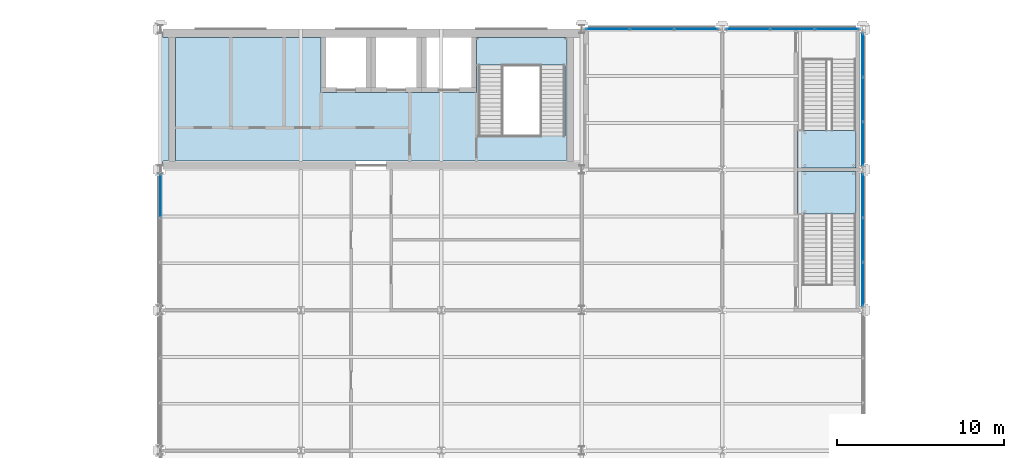
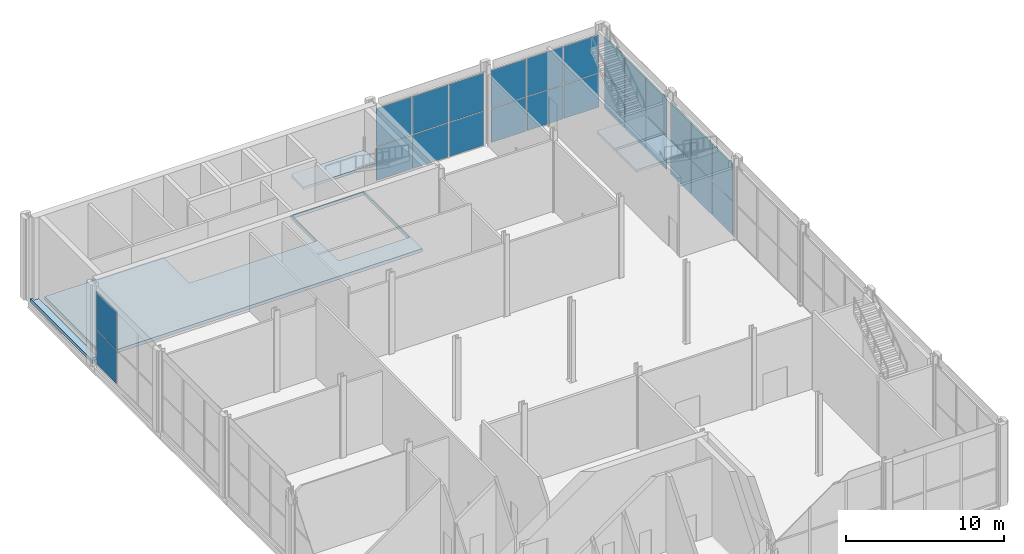
# One storey, part 61 of 77: 26 plates, 5 slabs, 8 elements without a shape of their own.
"""IFC4 building model written with IfcOpenShell, lengths in metres."""

from ifc_helpers import new_model, si_unit, direction, frame, origin, origin_2d, place, context, subcontext, project, spatial, polyline, rectangle, outline, extrude, material, layer, layer_set, type_object, element, aggregate, save


model = new_model("IFC4")

# Units and contexts
model_context = context("Model", 3, precision=1e-05, world=origin(), true_north=direction((0.0, 1.0)))
body_context = subcontext(model_context, "Body", "Model", "MODEL_VIEW")
ifc_project = project(units=[si_unit("LENGTHUNIT", "METRE"), si_unit("AREAUNIT", "SQUARE_METRE"), si_unit("VOLUMEUNIT", "CUBIC_METRE"), si_unit("PLANEANGLEUNIT", "RADIAN"), si_unit("MASSUNIT", "GRAM", prefix="KILO")], contexts=[model_context])

# Site, building, storey
site_placement = place(None, origin())
site = spatial("IfcSite", under=ifc_project, at=site_placement, CompositionType="ELEMENT")
building_placement = place(site_placement, origin())
building = spatial("IfcBuilding", under=site, at=building_placement, Name="Catenary Quay Ferry Terminal", CompositionType="ELEMENT")
storey_placement = place(building_placement, frame((0.0, 0.0, 10.800048828125)))
storey = spatial("IfcBuildingStorey", under=building, at=storey_placement, Name="L02", CompositionType="ELEMENT", Elevation=10.800048828125)

# Slabs
ifc_material_1 = material(Name="Concrete C35/45", Category="concrete")
ifc_layer_1 = layer(ifc_material_1, 0.25)
ifc_layer_set_1 = layer_set([ifc_layer_1], Name="Composite floor slab 250")
slab_type_1 = type_object("IfcSlabType", Name="Composite floor slab 250", PredefinedType="FLOOR", material=ifc_layer_set_1)
slab_1_placement = place(storey_placement, frame((0.0, 0.0, -0.25)))
element("IfcSlab", 1, at=slab_1_placement, inside=storey, type_object=slab_type_1, Name="L02 podium floor slab", PredefinedType="FLOOR", context=body_context, shape_type="SweptSolid", body=[
    extrude(outline(polyline([(25.199951171875, 209.739990234375), (25.340087890625, 209.739990234375), (25.340087890625, 209.489990234375), (25.68994140625, 209.489990234375), (25.68994140625, 202.110107421875), (25.340087890625, 202.110107421875), (25.340087890625, 201.860107421875), (25.199951171875, 201.860107421875), (25.199951171875, 209.739990234375)])), origin(), (0.0, 0.0, 1.0), 0.25),
])
slab_2_placement = place(storey_placement, frame((0.0, 0.0, -0.25)))
element("IfcSlab", 2, at=slab_2_placement, inside=storey, type_object=slab_type_1, Name="L02 podium floor slab", PredefinedType="FLOOR", context=body_context, shape_type="SweptSolid", body=[
    extrude(outline(polyline([(49.489990234375, 209.489990234375), (49.489990234375, 202.110107421875), (26.110107421875, 202.110107421875), (26.110107421875, 209.489990234375), (34.800048828125, 209.489990234375), (34.800048828125, 206.199951171875), (37.800048828125, 206.199951171875), (40.800048828125, 206.199951171875), (44.10009765625, 206.199951171875), (44.10009765625, 209.489990234375), (49.489990234375, 209.489990234375)]), holes=[polyline([(49.39990234375, 203.60009765625), (49.39990234375, 209.39990234375), (44.199951171875, 209.39990234375), (44.199951171875, 203.60009765625), (49.39990234375, 203.60009765625)])]), origin(), (0.0, 0.0, 1.0), 0.25),
])

# Curtain wall, plates
ifc_material_2 = material(Name="Aluminium and glass", Category="aluminium")
curtain_wall_type = type_object("IfcCurtainWallType", Name="CWW2", PredefinedType="NOTDEFINED", material=ifc_material_2)
curtain_wall_1_placement = place(storey_placement, origin())
curtain_wall_1 = element("IfcCurtainWall", 3, at=curtain_wall_1_placement, inside=storey, type_object=curtain_wall_type, Name="Wing curtain wall CW134", PredefinedType="NOTDEFINED")
ifc_material_3 = material(Name="Glass", Category="glass")
ifc_layer_2 = layer(ifc_material_3, 0.035888671875)
ifc_layer_set_2 = layer_set([ifc_layer_2], Name="PN4")
plate_type = type_object("IfcPlateType", Name="PN4", PredefinedType="CURTAIN_PANEL", material=ifc_layer_set_2)
plate_1_placement = place(storey_placement, frame((67.199951171875, 194.750732421875, 0.06005859375), z_axis=(0.0, 0.0, 1.0), x_axis=(0.0, 1.0, 0.0)))
plate_1 = element("IfcPlate", 4, at=plate_1_placement, type_object=plate_type, Name="CW134 panel 1.1", PredefinedType="CURTAIN_PANEL", context=body_context, shape_type="SweptSolid", body=[
    extrude(rectangle(XDim=2.561767578125, YDim=0.035888671875, at=origin_2d()), origin(), (0.0, 0.0, 1.0), 2.610107421875),
])
plate_2_placement = place(storey_placement, frame((67.199951171875, 194.750732421875, 2.72998046875), z_axis=(0.0, 0.0, 1.0), x_axis=(0.0, 1.0, 0.0)))
plate_2 = element("IfcPlate", 5, at=plate_2_placement, type_object=plate_type, Name="CW134 panel 1.2", PredefinedType="CURTAIN_PANEL", context=body_context, shape_type="SweptSolid", body=[
    extrude(rectangle(XDim=2.561767578125, YDim=0.035888671875, at=origin_2d()), origin(), (0.0, 0.0, 1.0), 2.909912109375),
])
plate_3_placement = place(storey_placement, frame((67.199951171875, 197.39990234375, 0.06005859375), z_axis=(0.0, 0.0, 1.0), x_axis=(0.0, 1.0, 0.0)))
plate_3 = element("IfcPlate", 6, at=plate_3_placement, type_object=plate_type, Name="CW134 panel 2.1", PredefinedType="CURTAIN_PANEL", context=body_context, shape_type="SweptSolid", body=[
    extrude(rectangle(XDim=2.5966796875, YDim=0.035888671875, at=origin_2d()), origin(), (0.0, 0.0, 1.0), 2.610107421875),
])
plate_4_placement = place(storey_placement, frame((67.199951171875, 197.39990234375, 2.72998046875), z_axis=(0.0, 0.0, 1.0), x_axis=(0.0, 1.0, 0.0)))
plate_4 = element("IfcPlate", 7, at=plate_4_placement, type_object=plate_type, Name="CW134 panel 2.2", PredefinedType="CURTAIN_PANEL", context=body_context, shape_type="SweptSolid", body=[
    extrude(rectangle(XDim=2.5966796875, YDim=0.035888671875, at=origin_2d()), origin(), (0.0, 0.0, 1.0), 2.909912109375),
])
plate_5_placement = place(storey_placement, frame((67.199951171875, 200.049072265625, 0.06005859375), z_axis=(0.0, 0.0, 1.0), x_axis=(0.0, 1.0, 0.0)))
plate_5 = element("IfcPlate", 8, at=plate_5_placement, type_object=plate_type, Name="CW134 panel 3.1", PredefinedType="CURTAIN_PANEL", context=body_context, shape_type="SweptSolid", body=[
    extrude(rectangle(XDim=2.561767578125, YDim=0.035888671875, at=origin_2d()), origin(), (0.0, 0.0, 1.0), 2.610107421875),
])
plate_6_placement = place(storey_placement, frame((67.199951171875, 200.049072265625, 2.72998046875), z_axis=(0.0, 0.0, 1.0), x_axis=(0.0, 1.0, 0.0)))
plate_6 = element("IfcPlate", 9, at=plate_6_placement, type_object=plate_type, Name="CW134 panel 3.2", PredefinedType="CURTAIN_PANEL", context=body_context, shape_type="SweptSolid", body=[
    extrude(rectangle(XDim=2.561767578125, YDim=0.035888671875, at=origin_2d()), origin(), (0.0, 0.0, 1.0), 2.909912109375),
])
aggregate(curtain_wall_1, [plate_1, plate_2, plate_3, plate_4, plate_5, plate_6])

curtain_wall_2_placement = place(storey_placement, origin())
curtain_wall_2 = element("IfcCurtainWall", 10, at=curtain_wall_2_placement, inside=storey, type_object=curtain_wall_type, Name="Wing curtain wall CW135", PredefinedType="NOTDEFINED")
plate_7_placement = place(storey_placement, frame((67.199951171875, 203.15087890625, 0.06005859375), z_axis=(0.0, 0.0, 1.0), x_axis=(0.0, 1.0, 0.0)))
plate_7 = element("IfcPlate", 11, at=plate_7_placement, type_object=plate_type, Name="CW135 panel 1.1", PredefinedType="CURTAIN_PANEL", context=body_context, shape_type="SweptSolid", body=[
    extrude(rectangle(XDim=2.561767578125, YDim=0.035888671875, at=origin_2d()), origin(), (0.0, 0.0, 1.0), 2.610107421875),
])
plate_8_placement = place(storey_placement, frame((67.199951171875, 203.15087890625, 2.72998046875), z_axis=(0.0, 0.0, 1.0), x_axis=(0.0, 1.0, 0.0)))
plate_8 = element("IfcPlate", 12, at=plate_8_placement, type_object=plate_type, Name="CW135 panel 1.2", PredefinedType="CURTAIN_PANEL", context=body_context, shape_type="SweptSolid", body=[
    extrude(rectangle(XDim=2.561767578125, YDim=0.035888671875, at=origin_2d()), origin(), (0.0, 0.0, 1.0), 2.909912109375),
])
plate_9_placement = place(storey_placement, frame((67.199951171875, 205.800048828125, 0.06005859375), z_axis=(0.0, 0.0, 1.0), x_axis=(0.0, 1.0, 0.0)))
plate_9 = element("IfcPlate", 13, at=plate_9_placement, type_object=plate_type, Name="CW135 panel 2.1", PredefinedType="CURTAIN_PANEL", context=body_context, shape_type="SweptSolid", body=[
    extrude(rectangle(XDim=2.5966796875, YDim=0.035888671875, at=origin_2d()), origin(), (0.0, 0.0, 1.0), 2.610107421875),
])
plate_10_placement = place(storey_placement, frame((67.199951171875, 205.800048828125, 2.72998046875), z_axis=(0.0, 0.0, 1.0), x_axis=(0.0, 1.0, 0.0)))
plate_10 = element("IfcPlate", 14, at=plate_10_placement, type_object=plate_type, Name="CW135 panel 2.2", PredefinedType="CURTAIN_PANEL", context=body_context, shape_type="SweptSolid", body=[
    extrude(rectangle(XDim=2.5966796875, YDim=0.035888671875, at=origin_2d()), origin(), (0.0, 0.0, 1.0), 2.909912109375),
])
plate_11_placement = place(storey_placement, frame((67.199951171875, 208.44921875, 0.06005859375), z_axis=(0.0, 0.0, 1.0), x_axis=(0.0, 1.0, 0.0)))
plate_11 = element("IfcPlate", 15, at=plate_11_placement, type_object=plate_type, Name="CW135 panel 3.1", PredefinedType="CURTAIN_PANEL", context=body_context, shape_type="SweptSolid", body=[
    extrude(rectangle(XDim=2.561767578125, YDim=0.035888671875, at=origin_2d()), origin(), (0.0, 0.0, 1.0), 2.610107421875),
])
plate_12_placement = place(storey_placement, frame((67.199951171875, 208.44921875, 2.72998046875), z_axis=(0.0, 0.0, 1.0), x_axis=(0.0, 1.0, 0.0)))
plate_12 = element("IfcPlate", 16, at=plate_12_placement, type_object=plate_type, Name="CW135 panel 3.2", PredefinedType="CURTAIN_PANEL", context=body_context, shape_type="SweptSolid", body=[
    extrude(rectangle(XDim=2.561767578125, YDim=0.035888671875, at=origin_2d()), origin(), (0.0, 0.0, 1.0), 2.909912109375),
])
aggregate(curtain_wall_2, [plate_7, plate_8, plate_9, plate_10, plate_11, plate_12])

curtain_wall_3_placement = place(storey_placement, origin())
curtain_wall_3 = element("IfcCurtainWall", 17, at=curtain_wall_3_placement, inside=storey, type_object=curtain_wall_type, Name="Wing curtain wall CW136", PredefinedType="NOTDEFINED")
plate_13_placement = place(storey_placement, frame((51.950927734375, 210.0, 0.06005859375), z_axis=(0.0, 0.0, 1.0), x_axis=(1.0, 0.0, 0.0)))
plate_13 = element("IfcPlate", 18, at=plate_13_placement, type_object=plate_type, Name="CW136 panel 1.1", PredefinedType="CURTAIN_PANEL", context=body_context, shape_type="SweptSolid", body=[
    extrude(rectangle(XDim=2.561767578125, YDim=0.035888671875, at=origin_2d()), origin(), (0.0, 0.0, 1.0), 2.610107421875),
])
plate_14_placement = place(storey_placement, frame((51.950927734375, 210.0, 2.72998046875), z_axis=(0.0, 0.0, 1.0), x_axis=(1.0, 0.0, 0.0)))
plate_14 = element("IfcPlate", 19, at=plate_14_placement, type_object=plate_type, Name="CW136 panel 1.2", PredefinedType="CURTAIN_PANEL", context=body_context, shape_type="SweptSolid", body=[
    extrude(rectangle(XDim=2.561767578125, YDim=0.035888671875, at=origin_2d()), origin(), (0.0, 0.0, 1.0), 2.909912109375),
])
plate_15_placement = place(storey_placement, frame((54.60009765625, 210.0, 0.06005859375), z_axis=(0.0, 0.0, 1.0), x_axis=(1.0, 0.0, 0.0)))
plate_15 = element("IfcPlate", 20, at=plate_15_placement, type_object=plate_type, Name="CW136 panel 2.1", PredefinedType="CURTAIN_PANEL", context=body_context, shape_type="SweptSolid", body=[
    extrude(rectangle(XDim=2.5966796875, YDim=0.035888671875, at=origin_2d()), origin(), (0.0, 0.0, 1.0), 2.610107421875),
])
plate_16_placement = place(storey_placement, frame((54.60009765625, 210.0, 2.72998046875), z_axis=(0.0, 0.0, 1.0), x_axis=(1.0, 0.0, 0.0)))
plate_16 = element("IfcPlate", 21, at=plate_16_placement, type_object=plate_type, Name="CW136 panel 2.2", PredefinedType="CURTAIN_PANEL", context=body_context, shape_type="SweptSolid", body=[
    extrude(rectangle(XDim=2.5966796875, YDim=0.035888671875, at=origin_2d()), origin(), (0.0, 0.0, 1.0), 2.909912109375),
])
plate_17_placement = place(storey_placement, frame((57.249267578125, 210.0, 0.06005859375), z_axis=(0.0, 0.0, 1.0), x_axis=(1.0, 0.0, 0.0)))
plate_17 = element("IfcPlate", 22, at=plate_17_placement, type_object=plate_type, Name="CW136 panel 3.1", PredefinedType="CURTAIN_PANEL", context=body_context, shape_type="SweptSolid", body=[
    extrude(rectangle(XDim=2.561767578125, YDim=0.035888671875, at=origin_2d()), origin(), (0.0, 0.0, 1.0), 2.610107421875),
])
plate_18_placement = place(storey_placement, frame((57.249267578125, 210.0, 2.72998046875), z_axis=(0.0, 0.0, 1.0), x_axis=(1.0, 0.0, 0.0)))
plate_18 = element("IfcPlate", 23, at=plate_18_placement, type_object=plate_type, Name="CW136 panel 3.2", PredefinedType="CURTAIN_PANEL", context=body_context, shape_type="SweptSolid", body=[
    extrude(rectangle(XDim=2.561767578125, YDim=0.035888671875, at=origin_2d()), origin(), (0.0, 0.0, 1.0), 2.909912109375),
])
aggregate(curtain_wall_3, [plate_13, plate_14, plate_15, plate_16, plate_17, plate_18])

curtain_wall_4_placement = place(storey_placement, origin())
curtain_wall_4 = element("IfcCurtainWall", 24, at=curtain_wall_4_placement, inside=storey, type_object=curtain_wall_type, Name="Wing curtain wall CW137", PredefinedType="NOTDEFINED")
plate_19_placement = place(storey_placement, frame((60.350830078125, 210.0, 0.06005859375), z_axis=(0.0, 0.0, 1.0), x_axis=(1.0, 0.0, 0.0)))
plate_19 = element("IfcPlate", 25, at=plate_19_placement, type_object=plate_type, Name="CW137 panel 1.1", PredefinedType="CURTAIN_PANEL", context=body_context, shape_type="SweptSolid", body=[
    extrude(rectangle(XDim=2.561767578125, YDim=0.035888671875, at=origin_2d()), origin(), (0.0, 0.0, 1.0), 2.610107421875),
])
plate_20_placement = place(storey_placement, frame((60.350830078125, 210.0, 2.72998046875), z_axis=(0.0, 0.0, 1.0), x_axis=(1.0, 0.0, 0.0)))
plate_20 = element("IfcPlate", 26, at=plate_20_placement, type_object=plate_type, Name="CW137 panel 1.2", PredefinedType="CURTAIN_PANEL", context=body_context, shape_type="SweptSolid", body=[
    extrude(rectangle(XDim=2.561767578125, YDim=0.035888671875, at=origin_2d()), origin(), (0.0, 0.0, 1.0), 2.909912109375),
])
plate_21_placement = place(storey_placement, frame((63.0, 210.0, 0.06005859375), z_axis=(0.0, 0.0, 1.0), x_axis=(1.0, 0.0, 0.0)))
plate_21 = element("IfcPlate", 27, at=plate_21_placement, type_object=plate_type, Name="CW137 panel 2.1", PredefinedType="CURTAIN_PANEL", context=body_context, shape_type="SweptSolid", body=[
    extrude(rectangle(XDim=2.5966796875, YDim=0.035888671875, at=origin_2d()), origin(), (0.0, 0.0, 1.0), 2.610107421875),
])
plate_22_placement = place(storey_placement, frame((63.0, 210.0, 2.72998046875), z_axis=(0.0, 0.0, 1.0), x_axis=(1.0, 0.0, 0.0)))
plate_22 = element("IfcPlate", 28, at=plate_22_placement, type_object=plate_type, Name="CW137 panel 2.2", PredefinedType="CURTAIN_PANEL", context=body_context, shape_type="SweptSolid", body=[
    extrude(rectangle(XDim=2.5966796875, YDim=0.035888671875, at=origin_2d()), origin(), (0.0, 0.0, 1.0), 2.909912109375),
])
plate_23_placement = place(storey_placement, frame((65.649169921875, 210.0, 0.06005859375), z_axis=(0.0, 0.0, 1.0), x_axis=(1.0, 0.0, 0.0)))
plate_23 = element("IfcPlate", 29, at=plate_23_placement, type_object=plate_type, Name="CW137 panel 3.1", PredefinedType="CURTAIN_PANEL", context=body_context, shape_type="SweptSolid", body=[
    extrude(rectangle(XDim=2.561767578125, YDim=0.035888671875, at=origin_2d()), origin(), (0.0, 0.0, 1.0), 2.610107421875),
])
plate_24_placement = place(storey_placement, frame((65.649169921875, 210.0, 2.72998046875), z_axis=(0.0, 0.0, 1.0), x_axis=(1.0, 0.0, 0.0)))
plate_24 = element("IfcPlate", 30, at=plate_24_placement, type_object=plate_type, Name="CW137 panel 3.2", PredefinedType="CURTAIN_PANEL", context=body_context, shape_type="SweptSolid", body=[
    extrude(rectangle(XDim=2.561767578125, YDim=0.035888671875, at=origin_2d()), origin(), (0.0, 0.0, 1.0), 2.909912109375),
])
aggregate(curtain_wall_4, [plate_19, plate_20, plate_21, plate_22, plate_23, plate_24])

curtain_wall_5_placement = place(storey_placement, origin())
curtain_wall_5 = element("IfcCurtainWall", 31, at=curtain_wall_5_placement, inside=storey, type_object=curtain_wall_type, Name="Wing curtain wall CW141", PredefinedType="NOTDEFINED")
plate_25_placement = place(storey_placement, frame((25.199951171875, 200.049072265625, 0.06005859375), z_axis=(0.0, 0.0, 1.0), x_axis=(0.0, 1.0, 0.0)))
plate_25 = element("IfcPlate", 32, at=plate_25_placement, type_object=plate_type, Name="CW141 panel 3.1", PredefinedType="CURTAIN_PANEL", context=body_context, shape_type="SweptSolid", body=[
    extrude(rectangle(XDim=2.561767578125, YDim=0.035888671875, at=origin_2d()), origin(), (0.0, 0.0, 1.0), 2.610107421875),
])
plate_26_placement = place(storey_placement, frame((25.199951171875, 200.049072265625, 2.72998046875), z_axis=(0.0, 0.0, 1.0), x_axis=(0.0, 1.0, 0.0)))
plate_26 = element("IfcPlate", 33, at=plate_26_placement, type_object=plate_type, Name="CW141 panel 3.2", PredefinedType="CURTAIN_PANEL", context=body_context, shape_type="SweptSolid", body=[
    extrude(rectangle(XDim=2.561767578125, YDim=0.035888671875, at=origin_2d()), origin(), (0.0, 0.0, 1.0), 2.909912109375),
])
aggregate(curtain_wall_5, [plate_25, plate_26])

# Stair, slab
ifc_material_4 = material(Name="Concrete C35/45", Category="concrete")
stair_type = type_object("IfcStairType", Name="STX1500", PredefinedType="HALF_TURN_STAIR", material=ifc_material_4)
stair_1_placement = place(storey_placement, origin())
stair_1 = element("IfcStair", 34, at=stair_1_placement, inside=storey, type_object=stair_type, Name="Stair HS1 L02 to L03", PredefinedType="HALF_TURN_STAIR")
ifc_material_5 = material(Name="Concrete C35/45", Category="concrete")
ifc_layer_3 = layer(ifc_material_5, 0.199951171875)
ifc_layer_set_3 = layer_set([ifc_layer_3], Name="SLX1500")
slab_type_2 = type_object("IfcSlabType", Name="SLX1500", PredefinedType="LANDING", material=ifc_layer_set_3)
slab_3_placement = place(storey_placement, frame((0.0, 0.0, 2.949951171875)))
slab_3 = element("IfcSlab", 35, at=slab_3_placement, type_object=slab_type_2, Name="HS1-L02 landing 1", PredefinedType="LANDING", context=body_context, shape_type="SweptSolid", body=[
    extrude(outline(polyline([(44.199951171875, 209.39990234375), (44.199951171875, 209.5), (49.39990234375, 209.5), (49.39990234375, 209.39990234375), (49.5, 209.39990234375), (49.5, 207.85009765625), (44.10009765625, 207.85009765625), (44.10009765625, 209.39990234375), (44.199951171875, 209.39990234375)])), origin(), (0.0, 0.0, 1.0), 0.199951171875),
])
aggregate(stair_1, [slab_3])

stair_2_placement = place(storey_placement, origin())
stair_2 = element("IfcStair", 36, at=stair_2_placement, inside=storey, type_object=stair_type, Name="Stair HS4 L02 to L03", PredefinedType="HALF_TURN_STAIR")
slab_4_placement = place(storey_placement, frame((0.0, 0.0, 2.949951171875)))
slab_4 = element("IfcSlab", 37, at=slab_4_placement, type_object=slab_type_2, Name="HS4-L02 landing 1", PredefinedType="LANDING", context=body_context, shape_type="SweptSolid", body=[
    extrude(outline(polyline([(63.300048828125, 201.5), (66.800048828125, 201.5), (66.800048828125, 198.949951171875), (63.300048828125, 198.949951171875), (63.300048828125, 201.5)])), origin(), (0.0, 0.0, 1.0), 0.199951171875),
])
aggregate(stair_2, [slab_4])

stair_3_placement = place(storey_placement, origin())
stair_3 = element("IfcStair", 38, at=stair_3_placement, inside=storey, type_object=stair_type, Name="Stair HS5 L02 to L03", PredefinedType="HALF_TURN_STAIR")
slab_5_placement = place(storey_placement, frame((0.0, 0.0, 2.949951171875)))
slab_5 = element("IfcSlab", 39, at=slab_5_placement, type_object=slab_type_2, Name="HS5-L02 landing 1", PredefinedType="LANDING", context=body_context, shape_type="SweptSolid", body=[
    extrude(outline(polyline([(63.300048828125, 203.949951171875), (66.800048828125, 203.949951171875), (66.800048828125, 201.699951171875), (63.300048828125, 201.699951171875), (63.300048828125, 203.949951171875)])), origin(), (0.0, 0.0, 1.0), 0.199951171875),
])
aggregate(stair_3, [slab_5])

save(model, "model.ifc")
